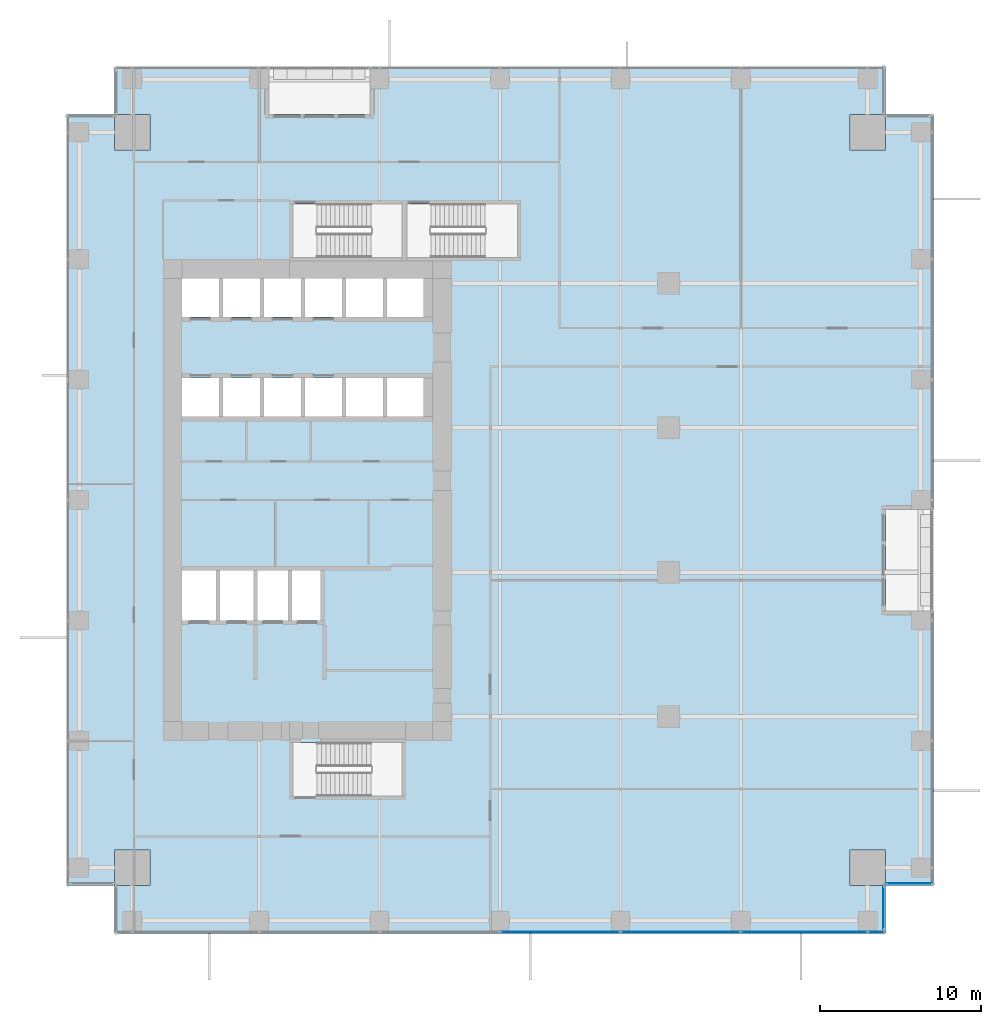
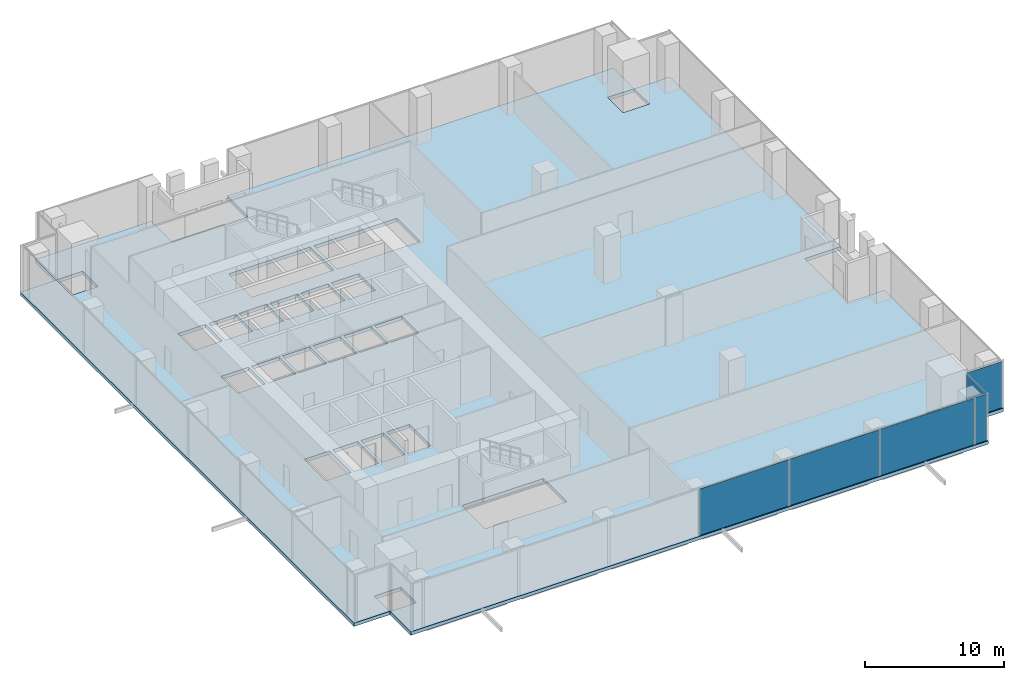
# One storey, part 23 of 33: 6 plates, 1 slab, 3 elements without a shape of their own.
"""IFC4 building model written with IfcOpenShell, lengths in metres."""

from ifc_helpers import new_model, si_unit, direction, frame, origin, origin_2d, place, context, subcontext, project, spatial, polyline, rectangle, outline, extrude, source, transform, mapped, material, layer, layer_set, type_object, element, aggregate, save


model = new_model("IFC4")

# Units and contexts
model_context = context("Model", 3, precision=1e-05, world=origin(), true_north=direction((0.0, 1.0)))
body_context = subcontext(model_context, "Body", "Model", "MODEL_VIEW")
ifc_project = project(units=[si_unit("LENGTHUNIT", "METRE"), si_unit("AREAUNIT", "SQUARE_METRE"), si_unit("VOLUMEUNIT", "CUBIC_METRE"), si_unit("PLANEANGLEUNIT", "RADIAN"), si_unit("MASSUNIT", "GRAM", prefix="KILO")], contexts=[model_context])

# Site, building, storey
site_placement = place(None, origin())
site = spatial("IfcSite", under=ifc_project, at=site_placement, CompositionType="ELEMENT")
building_placement = place(site_placement, origin())
building = spatial("IfcBuilding", under=site, at=building_placement, Name="Khomas Fold Tower", CompositionType="ELEMENT")
storey_placement = place(building_placement, frame((0.0, 0.0, 78.0)))
storey = spatial("IfcBuildingStorey", under=building, at=storey_placement, Name="L16", CompositionType="ELEMENT", Elevation=78.0)

# Slab
ifc_material_1 = material(Name="Concrete C40/50", Category="concrete")
ifc_layer_1 = layer(ifc_material_1, 0.300048828125)
ifc_layer_set_1 = layer_set([ifc_layer_1], Name="Concrete C40/50")
slab_type = type_object("IfcSlabType", Name="RC floor slab 300", PredefinedType="FLOOR", material=ifc_layer_set_1)
shared_shape_1 = source(origin(), body_context, "Body", "SweptSolid", [
    extrude(outline(polyline([(0.0, 3.0), (2.9951171875, 3.0), (2.9951171875, 5.205078125), (5.205078125, 5.205078125), (5.205078125, 2.9951171875), (3.0, 2.9951171875), (3.0, 0.0), (51.0, 0.0), (51.0, 2.9951171875), (48.794921875, 2.9951171875), (48.794921875, 5.205078125), (51.0048828125, 5.205078125), (51.0048828125, 3.0), (54.0, 3.0), (54.0, 20.10009765625), (51.0, 20.10009765625), (51.0, 26.39990234375), (54.0, 26.39990234375), (54.0, 51.0), (51.0048828125, 51.0), (51.0048828125, 48.794921875), (48.794921875, 48.794921875), (48.794921875, 51.0048828125), (51.0, 51.0048828125), (51.0, 54.0), (18.89990234375, 54.0), (18.89990234375, 51.0), (12.60009765625, 51.0), (12.60009765625, 54.0), (3.0, 54.0), (3.0, 51.0048828125), (5.205078125, 51.0048828125), (5.205078125, 48.794921875), (2.9951171875, 48.794921875), (2.9951171875, 51.0), (0.0, 51.0), (0.0, 3.0)]), holes=[polyline([(7.199951171875, 19.5), (7.199951171875, 22.60009765625), (9.300048828125, 22.60009765625), (9.300048828125, 19.5), (7.199951171875, 19.5)]), polyline([(7.199951171875, 32.199951171875), (7.199951171875, 34.60009765625), (9.5, 34.60009765625), (9.5, 32.199951171875), (7.199951171875, 32.199951171875)]), polyline([(7.199951171875, 38.39990234375), (7.199951171875, 40.800048828125), (9.5, 40.800048828125), (9.5, 38.39990234375), (7.199951171875, 38.39990234375)]), polyline([(9.550048828125, 19.5), (9.550048828125, 22.60009765625), (11.64990234375, 22.60009765625), (11.64990234375, 19.5), (9.550048828125, 19.5)]), polyline([(9.75, 32.199951171875), (9.75, 34.60009765625), (12.050048828125, 34.60009765625), (12.050048828125, 32.199951171875), (9.75, 32.199951171875)]), polyline([(9.75, 38.39990234375), (9.75, 40.800048828125), (12.050048828125, 40.800048828125), (12.050048828125, 38.39990234375), (9.75, 38.39990234375)]), polyline([(11.89990234375, 19.5), (11.89990234375, 22.60009765625), (13.800048828125, 22.60009765625), (13.800048828125, 19.5), (11.89990234375, 19.5)]), polyline([(12.300048828125, 32.199951171875), (12.300048828125, 34.60009765625), (14.60009765625, 34.60009765625), (14.60009765625, 32.199951171875), (12.300048828125, 32.199951171875)]), polyline([(12.300048828125, 38.39990234375), (12.300048828125, 40.800048828125), (14.60009765625, 40.800048828125), (14.60009765625, 38.39990234375), (12.300048828125, 38.39990234375)]), polyline([(14.050048828125, 19.5), (14.050048828125, 22.60009765625), (15.949951171875, 22.60009765625), (15.949951171875, 19.5), (14.050048828125, 19.5)]), polyline([(14.10009765625, 8.550048828125), (14.10009765625, 11.89990234375), (20.89990234375, 11.89990234375), (20.89990234375, 8.550048828125), (14.10009765625, 8.550048828125)]), polyline([(14.10009765625, 42.10009765625), (14.10009765625, 45.449951171875), (20.89990234375, 45.449951171875), (20.89990234375, 42.10009765625), (14.10009765625, 42.10009765625)]), polyline([(14.85009765625, 32.199951171875), (14.85009765625, 34.60009765625), (17.14990234375, 34.60009765625), (17.14990234375, 32.199951171875), (14.85009765625, 32.199951171875)]), polyline([(14.85009765625, 38.39990234375), (14.85009765625, 40.800048828125), (17.14990234375, 40.800048828125), (17.14990234375, 38.39990234375), (14.85009765625, 38.39990234375)]), polyline([(17.39990234375, 32.199951171875), (17.39990234375, 34.60009765625), (19.699951171875, 34.60009765625), (19.699951171875, 32.199951171875), (17.39990234375, 32.199951171875)]), polyline([(17.39990234375, 38.39990234375), (17.39990234375, 40.800048828125), (19.699951171875, 40.800048828125), (19.699951171875, 38.39990234375), (17.39990234375, 38.39990234375)]), polyline([(19.949951171875, 32.199951171875), (19.949951171875, 34.60009765625), (22.25, 34.60009765625), (22.25, 32.199951171875), (19.949951171875, 32.199951171875)]), polyline([(19.949951171875, 38.39990234375), (19.949951171875, 40.800048828125), (22.25, 40.800048828125), (22.25, 38.39990234375), (19.949951171875, 38.39990234375)]), polyline([(21.199951171875, 42.10009765625), (21.199951171875, 45.449951171875), (28.10009765625, 45.449951171875), (28.10009765625, 42.10009765625), (21.199951171875, 42.10009765625)])]), origin(), (0.0, 0.0, 1.0), 0.300048828125),
])
slab_placement = place(storey_placement, frame((0.0, 0.0, -0.300048828125)))
element("IfcSlab", 1, at=slab_placement, inside=storey, type_object=slab_type, Name="S-L16", PredefinedType="FLOOR", context=body_context, shape_type="MappedRepresentation", body=[
    mapped(shared_shape_1, transform((0.0, 0.0, 0.0))),
])

# Curtain wall, plates
ifc_material_2 = material(Name="Aluminium framed double glazing", Category="aluminium")
curtain_wall_type = type_object("IfcCurtainWallType", Name="SK-Unitised clear-glass wall, growing floors CW1", PredefinedType="NOTDEFINED", material=ifc_material_2)
curtain_wall_1_placement = place(storey_placement, origin())
curtain_wall_1 = element("IfcCurtainWall", 2, at=curtain_wall_1_placement, inside=storey, type_object=curtain_wall_type, Name="CW1 run L16 00-0", PredefinedType="NOTDEFINED")
ifc_material_3 = material(Name="Clear double glazed unit")
ifc_layer_2 = layer(ifc_material_3, 0.031982421875)
ifc_layer_set_2 = layer_set([ifc_layer_2], Name="Clear double glazed unit")
plate_type = type_object("IfcPlateType", Name="SK-Unitised clear-glass wall, growing floors glass panel CW1-P", PredefinedType="CURTAIN_PANEL", material=ifc_layer_set_2)
shared_shape_2 = source(origin(), body_context, "Body", "SweptSolid", [
    extrude(rectangle(XDim=7.840087890625, YDim=0.031982421875, at=origin_2d()), origin(), (0.0, 0.0, 1.0), 4.080078125),
])
plate_1_placement = place(storey_placement, frame((45.949951171875, 0.10009765625, 0.0), z_axis=(0.0, 0.0, 1.0), x_axis=(1.0, 0.0, 0.0)))
plate_1 = element("IfcPlate", 3, at=plate_1_placement, type_object=plate_type, Name="CW1 glass panel 7", PredefinedType="CURTAIN_PANEL", context=body_context, shape_type="MappedRepresentation", body=[
    mapped(shared_shape_2, transform((0.0, 0.0, 0.0))),
])
shared_shape_3 = source(origin(), body_context, "Body", "SweptSolid", [
    extrude(rectangle(XDim=7.43994140625, YDim=0.031982421875, at=origin_2d()), origin(), (0.0, 0.0, 1.0), 4.080078125),
])
plate_2_placement = place(storey_placement, frame((30.75, 0.10009765625, 0.0), z_axis=(0.0, 0.0, 1.0), x_axis=(1.0, 0.0, 0.0)))
plate_2 = element("IfcPlate", 4, at=plate_2_placement, type_object=plate_type, Name="CW1 glass panel 5", PredefinedType="CURTAIN_PANEL", context=body_context, shape_type="MappedRepresentation", body=[
    mapped(shared_shape_3, transform((0.0, 0.0, 0.0))),
])
plate_3_placement = place(storey_placement, frame((38.25, 0.10009765625, 0.0), z_axis=(0.0, 0.0, 1.0), x_axis=(1.0, 0.0, 0.0)))
plate_3 = element("IfcPlate", 5, at=plate_3_placement, type_object=plate_type, Name="CW1 glass panel 6", PredefinedType="CURTAIN_PANEL", context=body_context, shape_type="MappedRepresentation", body=[
    mapped(shared_shape_3, transform((0.0, 0.0, 0.0))),
])
shared_shape_4 = source(origin(), body_context, "Body", "SweptSolid", [
    extrude(rectangle(XDim=1.010009765625, YDim=0.031982421875, at=origin_2d()), origin(), (0.0, 0.0, 1.0), 4.080078125),
])
plate_4_placement = place(storey_placement, frame((50.43505859375, 0.10009765625, 0.0), z_axis=(0.0, 0.0, 1.0), x_axis=(1.0, 0.0, 0.0)))
plate_4 = element("IfcPlate", 6, at=plate_4_placement, type_object=plate_type, Name="CW1 glass panel 8", PredefinedType="CURTAIN_PANEL", context=body_context, shape_type="MappedRepresentation", body=[
    mapped(shared_shape_4, transform((0.0, 0.0, 0.0))),
])
aggregate(curtain_wall_1, [plate_2, plate_3, plate_1, plate_4])

# Curtain wall, plate
curtain_wall_2_placement = place(storey_placement, origin())
curtain_wall_2 = element("IfcCurtainWall", 7, at=curtain_wall_2_placement, inside=storey, type_object=curtain_wall_type, Name="CW1 corner return L16 01", PredefinedType="NOTDEFINED")
shared_shape_5 = source(origin(), body_context, "Body", "SweptSolid", [
    extrude(rectangle(XDim=2.679931640625, YDim=0.031982421875, at=origin_2d()), origin(), (0.0, 0.0, 1.0), 4.080078125),
])
plate_5_placement = place(storey_placement, frame((50.89990234375, 1.60009765625, 0.0), z_axis=(0.0, 0.0, 1.0), x_axis=(0.0, 1.0, 0.0)))
plate_5 = element("IfcPlate", 8, at=plate_5_placement, type_object=plate_type, Name="CW1 glass panel 1", PredefinedType="CURTAIN_PANEL", context=body_context, shape_type="MappedRepresentation", body=[
    mapped(shared_shape_5, transform((0.0, 0.0, 0.0))),
])
aggregate(curtain_wall_2, [plate_5])

curtain_wall_3_placement = place(storey_placement, origin())
curtain_wall_3 = element("IfcCurtainWall", 9, at=curtain_wall_3_placement, inside=storey, type_object=curtain_wall_type, Name="CW1 corner return L16 02", PredefinedType="NOTDEFINED")
shared_shape_6 = source(origin(), body_context, "Body", "SweptSolid", [
    extrude(rectangle(XDim=2.8798828125, YDim=0.031982421875, at=origin_2d()), origin(), (0.0, 0.0, 1.0), 4.080078125),
])
plate_6_placement = place(storey_placement, frame((52.5, 3.10009765625, 0.0), z_axis=(0.0, 0.0, 1.0), x_axis=(1.0, 0.0, 0.0)))
plate_6 = element("IfcPlate", 10, at=plate_6_placement, type_object=plate_type, Name="CW1 glass panel 1", PredefinedType="CURTAIN_PANEL", context=body_context, shape_type="MappedRepresentation", body=[
    mapped(shared_shape_6, transform((0.0, 0.0, 0.0))),
])
aggregate(curtain_wall_3, [plate_6])

save(model, "model.ifc")
